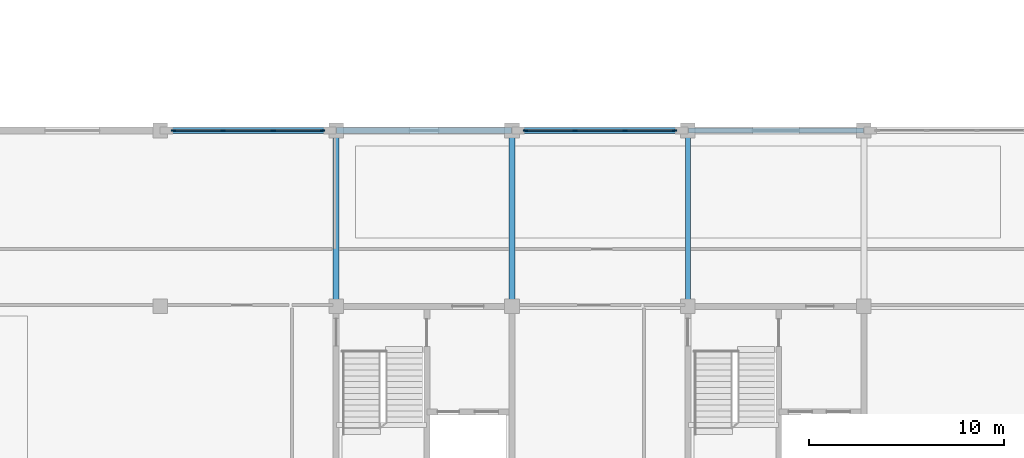
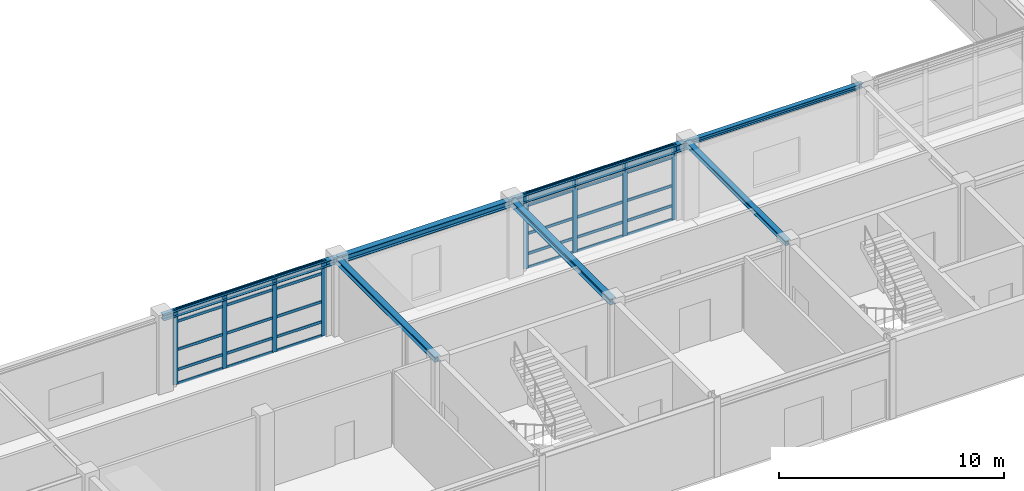
# One storey, part 21 of 72: 38 members, 7 beams, 2 elements without a shape of their own.
"""IFC4 building model written with IfcOpenShell, lengths in metres."""

from ifc_helpers import new_model, si_unit, direction, frame, origin, origin_2d, place, context, subcontext, project, spatial, rectangle, i_section, extrude, material, material_profile, profile_set, type_object, element, aggregate, save


model = new_model("IFC4")

# Units and contexts
model_context = context("Model", 3, precision=1e-05, world=origin(), true_north=direction((0.0, 1.0)))
body_context = subcontext(model_context, "Body", "Model", "MODEL_VIEW")
ifc_project = project(units=[si_unit("LENGTHUNIT", "METRE"), si_unit("AREAUNIT", "SQUARE_METRE"), si_unit("VOLUMEUNIT", "CUBIC_METRE"), si_unit("PLANEANGLEUNIT", "RADIAN"), si_unit("MASSUNIT", "GRAM", prefix="KILO")], contexts=[model_context])

# Site, building, storey
site_placement = place(None, origin())
site = spatial("IfcSite", under=ifc_project, at=site_placement, CompositionType="ELEMENT")
building_placement = place(site_placement, origin())
building = spatial("IfcBuilding", under=site, at=building_placement, Name="Palais des Congres Ocreval", CompositionType="ELEMENT")
storey_placement = place(building_placement, origin())
storey = spatial("IfcBuildingStorey", under=building, at=storey_placement, Name="L00", CompositionType="ELEMENT", Elevation=0.0)

# Curtain wall, members
ifc_material_1 = material(Name="Anodized bronze aluminium and low-E glass", Category="glass")
curtain_wall_type = type_object("IfcCurtainWallType", Name="Unitised Curtain Wall 7900x4060", PredefinedType="USERDEFINED", material=ifc_material_1)
curtain_wall_1_placement = place(storey_placement, origin())
curtain_wall_1 = element("IfcCurtainWall", 1, at=curtain_wall_1_placement, inside=storey, type_object=curtain_wall_type, Name="Unitised Curtain Wall CW01 L00", ObjectType="UNITISED CURTAIN WALL", PredefinedType="USERDEFINED")
ifc_material_2 = material(Name="Anodized bronze aluminium", Category="aluminium")
ifc_material_profile_1 = material_profile(ifc_material_2, rectangle(XDim=0.074951171875, YDim=0.239990234375, at=origin_2d()), Name="ALU 75x240")
ifc_profile_set_1 = profile_set([ifc_material_profile_1], Name="Anodized bronze aluminium")
member_type_1 = type_object("IfcMemberType", Name="Curtain Wall Mullion ALU 75x240", PredefinedType="MULLION", material=ifc_profile_set_1)
member_1_placement = place(storey_placement, frame((27.6875, 18.0, 0.0), z_axis=(0.0, 0.0, 1.0), x_axis=(0.0, 1.0, 0.0)))
member_1 = element("IfcMember", 2, at=member_1_placement, type_object=member_type_1, Name="Curtain Wall Mullion ML01", PredefinedType="MULLION", context=body_context, shape_type="SweptSolid", body=[
    extrude(rectangle(XDim=0.074951171875, YDim=0.239990234375, at=origin_2d()), origin(), (0.0, 0.0, 1.0), 4.054931640625),
])
member_2_placement = place(storey_placement, frame((30.216796875, 18.0, 0.0), z_axis=(0.0, 0.0, 1.0), x_axis=(0.0, 1.0, 0.0)))
member_2 = element("IfcMember", 3, at=member_2_placement, type_object=member_type_1, Name="Curtain Wall Mullion ML01", PredefinedType="MULLION", context=body_context, shape_type="SweptSolid", body=[
    extrude(rectangle(XDim=0.074951171875, YDim=0.239990234375, at=origin_2d()), origin(), (0.0, 0.0, 1.0), 4.054931640625),
])
member_3_placement = place(storey_placement, frame((32.783203125, 18.0, 0.0), z_axis=(0.0, 0.0, 1.0), x_axis=(0.0, 1.0, 0.0)))
member_3 = element("IfcMember", 4, at=member_3_placement, type_object=member_type_1, Name="Curtain Wall Mullion ML01", PredefinedType="MULLION", context=body_context, shape_type="SweptSolid", body=[
    extrude(rectangle(XDim=0.074951171875, YDim=0.239990234375, at=origin_2d()), origin(), (0.0, 0.0, 1.0), 4.054931640625),
])
member_4_placement = place(storey_placement, frame((35.3125, 18.0, 0.0), z_axis=(0.0, 0.0, 1.0), x_axis=(0.0, 1.0, 0.0)))
member_4 = element("IfcMember", 5, at=member_4_placement, type_object=member_type_1, Name="Curtain Wall Mullion ML01", PredefinedType="MULLION", context=body_context, shape_type="SweptSolid", body=[
    extrude(rectangle(XDim=0.074951171875, YDim=0.239990234375, at=origin_2d()), origin(), (0.0, 0.0, 1.0), 4.054931640625),
])

curtain_wall_2_placement = place(storey_placement, origin())
curtain_wall_2 = element("IfcCurtainWall", 6, at=curtain_wall_2_placement, inside=storey, type_object=curtain_wall_type, Name="Unitised Curtain Wall CW01 L00", ObjectType="UNITISED CURTAIN WALL", PredefinedType="USERDEFINED")
member_5_placement = place(storey_placement, frame((45.6875, 18.0, 0.0), z_axis=(0.0, 0.0, 1.0), x_axis=(0.0, 1.0, 0.0)))
member_5 = element("IfcMember", 7, at=member_5_placement, type_object=member_type_1, Name="Curtain Wall Mullion ML01", PredefinedType="MULLION", context=body_context, shape_type="SweptSolid", body=[
    extrude(rectangle(XDim=0.074951171875, YDim=0.239990234375, at=origin_2d()), origin(), (0.0, 0.0, 1.0), 4.054931640625),
])
member_6_placement = place(storey_placement, frame((48.216796875, 18.0, 0.0), z_axis=(0.0, 0.0, 1.0), x_axis=(0.0, 1.0, 0.0)))
member_6 = element("IfcMember", 8, at=member_6_placement, type_object=member_type_1, Name="Curtain Wall Mullion ML01", PredefinedType="MULLION", context=body_context, shape_type="SweptSolid", body=[
    extrude(rectangle(XDim=0.074951171875, YDim=0.239990234375, at=origin_2d()), origin(), (0.0, 0.0, 1.0), 4.054931640625),
])
member_7_placement = place(storey_placement, frame((50.783203125, 18.0, 0.0), z_axis=(0.0, 0.0, 1.0), x_axis=(0.0, 1.0, 0.0)))
member_7 = element("IfcMember", 9, at=member_7_placement, type_object=member_type_1, Name="Curtain Wall Mullion ML01", PredefinedType="MULLION", context=body_context, shape_type="SweptSolid", body=[
    extrude(rectangle(XDim=0.074951171875, YDim=0.239990234375, at=origin_2d()), origin(), (0.0, 0.0, 1.0), 4.054931640625),
])
member_8_placement = place(storey_placement, frame((53.3125, 18.0, 0.0), z_axis=(0.0, 0.0, 1.0), x_axis=(0.0, 1.0, 0.0)))
member_8 = element("IfcMember", 10, at=member_8_placement, type_object=member_type_1, Name="Curtain Wall Mullion ML01", PredefinedType="MULLION", context=body_context, shape_type="SweptSolid", body=[
    extrude(rectangle(XDim=0.074951171875, YDim=0.239990234375, at=origin_2d()), origin(), (0.0, 0.0, 1.0), 4.054931640625),
])

# Member
ifc_material_profile_2 = material_profile(ifc_material_2, rectangle(XDim=0.06005859375, YDim=0.14990234375, at=origin_2d()), Name="ALU 60x150")
ifc_profile_set_2 = profile_set([ifc_material_profile_2], Name="Anodized bronze aluminium")
member_type_2 = type_object("IfcMemberType", Name="Curtain Wall Transom ALU 60x150", PredefinedType="USERDEFINED", material=ifc_profile_set_2)
member_9_placement = place(storey_placement, frame((27.72509765625, 18.0, 0.030029296875), z_axis=(1.0, 0.0, 0.0), x_axis=(0.0, 1.0, 0.0)))
member_9 = element("IfcMember", 11, at=member_9_placement, type_object=member_type_2, Name="Curtain Wall Transom TR01", ObjectType="TRANSOM", PredefinedType="USERDEFINED", context=body_context, shape_type="SweptSolid", body=[
    extrude(rectangle(XDim=0.06005859375, YDim=0.14990234375, at=origin_2d()), origin(), (0.0, 0.0, 1.0), 2.4541015625),
])

member_10_placement = place(storey_placement, frame((27.72509765625, 18.0, 0.780029296875), z_axis=(1.0, 0.0, 0.0), x_axis=(0.0, 1.0, 0.0)))
member_10 = element("IfcMember", 12, at=member_10_placement, type_object=member_type_2, Name="Curtain Wall Transom TR01", ObjectType="TRANSOM", PredefinedType="USERDEFINED", context=body_context, shape_type="SweptSolid", body=[
    extrude(rectangle(XDim=0.06005859375, YDim=0.14990234375, at=origin_2d()), origin(), (0.0, 0.0, 1.0), 2.4541015625),
])

member_11_placement = place(storey_placement, frame((27.72509765625, 18.0, 1.872802734375), z_axis=(1.0, 0.0, 0.0), x_axis=(0.0, 1.0, 0.0)))
member_11 = element("IfcMember", 13, at=member_11_placement, type_object=member_type_2, Name="Curtain Wall Transom TR01", ObjectType="TRANSOM", PredefinedType="USERDEFINED", context=body_context, shape_type="SweptSolid", body=[
    extrude(rectangle(XDim=0.06005859375, YDim=0.14990234375, at=origin_2d()), origin(), (0.0, 0.0, 1.0), 2.4541015625),
])

member_12_placement = place(storey_placement, frame((27.72509765625, 18.0, 3.405029296875), z_axis=(1.0, 0.0, 0.0), x_axis=(0.0, 1.0, 0.0)))
member_12 = element("IfcMember", 14, at=member_12_placement, type_object=member_type_2, Name="Curtain Wall Transom TR01", ObjectType="TRANSOM", PredefinedType="USERDEFINED", context=body_context, shape_type="SweptSolid", body=[
    extrude(rectangle(XDim=0.06005859375, YDim=0.14990234375, at=origin_2d()), origin(), (0.0, 0.0, 1.0), 2.4541015625),
])

member_13_placement = place(storey_placement, frame((27.72509765625, 18.0, 4.02490234375), z_axis=(1.0, 0.0, 0.0), x_axis=(0.0, 1.0, 0.0)))
member_13 = element("IfcMember", 15, at=member_13_placement, type_object=member_type_2, Name="Curtain Wall Transom TR01", ObjectType="TRANSOM", PredefinedType="USERDEFINED", context=body_context, shape_type="SweptSolid", body=[
    extrude(rectangle(XDim=0.06005859375, YDim=0.14990234375, at=origin_2d()), origin(), (0.0, 0.0, 1.0), 2.4541015625),
])

member_14_placement = place(storey_placement, frame((30.254150390625, 18.0, 0.030029296875), z_axis=(1.0, 0.0, 0.0), x_axis=(0.0, 1.0, 0.0)))
member_14 = element("IfcMember", 16, at=member_14_placement, type_object=member_type_2, Name="Curtain Wall Transom TR01", ObjectType="TRANSOM", PredefinedType="USERDEFINED", context=body_context, shape_type="SweptSolid", body=[
    extrude(rectangle(XDim=0.06005859375, YDim=0.14990234375, at=origin_2d()), origin(), (0.0, 0.0, 1.0), 2.49169921875),
])

member_15_placement = place(storey_placement, frame((30.254150390625, 18.0, 0.780029296875), z_axis=(1.0, 0.0, 0.0), x_axis=(0.0, 1.0, 0.0)))
member_15 = element("IfcMember", 17, at=member_15_placement, type_object=member_type_2, Name="Curtain Wall Transom TR01", ObjectType="TRANSOM", PredefinedType="USERDEFINED", context=body_context, shape_type="SweptSolid", body=[
    extrude(rectangle(XDim=0.06005859375, YDim=0.14990234375, at=origin_2d()), origin(), (0.0, 0.0, 1.0), 2.49169921875),
])

member_16_placement = place(storey_placement, frame((30.254150390625, 18.0, 1.872802734375), z_axis=(1.0, 0.0, 0.0), x_axis=(0.0, 1.0, 0.0)))
member_16 = element("IfcMember", 18, at=member_16_placement, type_object=member_type_2, Name="Curtain Wall Transom TR01", ObjectType="TRANSOM", PredefinedType="USERDEFINED", context=body_context, shape_type="SweptSolid", body=[
    extrude(rectangle(XDim=0.06005859375, YDim=0.14990234375, at=origin_2d()), origin(), (0.0, 0.0, 1.0), 2.49169921875),
])

member_17_placement = place(storey_placement, frame((30.254150390625, 18.0, 3.405029296875), z_axis=(1.0, 0.0, 0.0), x_axis=(0.0, 1.0, 0.0)))
member_17 = element("IfcMember", 19, at=member_17_placement, type_object=member_type_2, Name="Curtain Wall Transom TR01", ObjectType="TRANSOM", PredefinedType="USERDEFINED", context=body_context, shape_type="SweptSolid", body=[
    extrude(rectangle(XDim=0.06005859375, YDim=0.14990234375, at=origin_2d()), origin(), (0.0, 0.0, 1.0), 2.49169921875),
])

member_18_placement = place(storey_placement, frame((30.254150390625, 18.0, 4.02490234375), z_axis=(1.0, 0.0, 0.0), x_axis=(0.0, 1.0, 0.0)))
member_18 = element("IfcMember", 20, at=member_18_placement, type_object=member_type_2, Name="Curtain Wall Transom TR01", ObjectType="TRANSOM", PredefinedType="USERDEFINED", context=body_context, shape_type="SweptSolid", body=[
    extrude(rectangle(XDim=0.06005859375, YDim=0.14990234375, at=origin_2d()), origin(), (0.0, 0.0, 1.0), 2.49169921875),
])

member_19_placement = place(storey_placement, frame((32.82080078125, 18.0, 0.030029296875), z_axis=(1.0, 0.0, 0.0), x_axis=(0.0, 1.0, 0.0)))
member_19 = element("IfcMember", 21, at=member_19_placement, type_object=member_type_2, Name="Curtain Wall Transom TR01", ObjectType="TRANSOM", PredefinedType="USERDEFINED", context=body_context, shape_type="SweptSolid", body=[
    extrude(rectangle(XDim=0.06005859375, YDim=0.14990234375, at=origin_2d()), origin(), (0.0, 0.0, 1.0), 2.4541015625),
])

member_20_placement = place(storey_placement, frame((32.82080078125, 18.0, 0.780029296875), z_axis=(1.0, 0.0, 0.0), x_axis=(0.0, 1.0, 0.0)))
member_20 = element("IfcMember", 22, at=member_20_placement, type_object=member_type_2, Name="Curtain Wall Transom TR01", ObjectType="TRANSOM", PredefinedType="USERDEFINED", context=body_context, shape_type="SweptSolid", body=[
    extrude(rectangle(XDim=0.06005859375, YDim=0.14990234375, at=origin_2d()), origin(), (0.0, 0.0, 1.0), 2.4541015625),
])

member_21_placement = place(storey_placement, frame((32.82080078125, 18.0, 1.872802734375), z_axis=(1.0, 0.0, 0.0), x_axis=(0.0, 1.0, 0.0)))
member_21 = element("IfcMember", 23, at=member_21_placement, type_object=member_type_2, Name="Curtain Wall Transom TR01", ObjectType="TRANSOM", PredefinedType="USERDEFINED", context=body_context, shape_type="SweptSolid", body=[
    extrude(rectangle(XDim=0.06005859375, YDim=0.14990234375, at=origin_2d()), origin(), (0.0, 0.0, 1.0), 2.4541015625),
])

member_22_placement = place(storey_placement, frame((32.82080078125, 18.0, 3.405029296875), z_axis=(1.0, 0.0, 0.0), x_axis=(0.0, 1.0, 0.0)))
member_22 = element("IfcMember", 24, at=member_22_placement, type_object=member_type_2, Name="Curtain Wall Transom TR01", ObjectType="TRANSOM", PredefinedType="USERDEFINED", context=body_context, shape_type="SweptSolid", body=[
    extrude(rectangle(XDim=0.06005859375, YDim=0.14990234375, at=origin_2d()), origin(), (0.0, 0.0, 1.0), 2.4541015625),
])

member_23_placement = place(storey_placement, frame((32.82080078125, 18.0, 4.02490234375), z_axis=(1.0, 0.0, 0.0), x_axis=(0.0, 1.0, 0.0)))
member_23 = element("IfcMember", 25, at=member_23_placement, type_object=member_type_2, Name="Curtain Wall Transom TR01", ObjectType="TRANSOM", PredefinedType="USERDEFINED", context=body_context, shape_type="SweptSolid", body=[
    extrude(rectangle(XDim=0.06005859375, YDim=0.14990234375, at=origin_2d()), origin(), (0.0, 0.0, 1.0), 2.4541015625),
])

aggregate(curtain_wall_1, [member_1, member_2, member_3, member_4, member_9, member_10, member_11, member_12, member_13, member_14, member_15, member_16, member_17, member_18, member_19, member_20, member_21, member_22, member_23])

member_24_placement = place(storey_placement, frame((45.72509765625, 18.0, 0.030029296875), z_axis=(1.0, 0.0, 0.0), x_axis=(0.0, 1.0, 0.0)))
member_24 = element("IfcMember", 26, at=member_24_placement, type_object=member_type_2, Name="Curtain Wall Transom TR01", ObjectType="TRANSOM", PredefinedType="USERDEFINED", context=body_context, shape_type="SweptSolid", body=[
    extrude(rectangle(XDim=0.06005859375, YDim=0.14990234375, at=origin_2d()), origin(), (0.0, 0.0, 1.0), 2.4541015625),
])

member_25_placement = place(storey_placement, frame((45.72509765625, 18.0, 0.780029296875), z_axis=(1.0, 0.0, 0.0), x_axis=(0.0, 1.0, 0.0)))
member_25 = element("IfcMember", 27, at=member_25_placement, type_object=member_type_2, Name="Curtain Wall Transom TR01", ObjectType="TRANSOM", PredefinedType="USERDEFINED", context=body_context, shape_type="SweptSolid", body=[
    extrude(rectangle(XDim=0.06005859375, YDim=0.14990234375, at=origin_2d()), origin(), (0.0, 0.0, 1.0), 2.4541015625),
])

member_26_placement = place(storey_placement, frame((45.72509765625, 18.0, 1.872802734375), z_axis=(1.0, 0.0, 0.0), x_axis=(0.0, 1.0, 0.0)))
member_26 = element("IfcMember", 28, at=member_26_placement, type_object=member_type_2, Name="Curtain Wall Transom TR01", ObjectType="TRANSOM", PredefinedType="USERDEFINED", context=body_context, shape_type="SweptSolid", body=[
    extrude(rectangle(XDim=0.06005859375, YDim=0.14990234375, at=origin_2d()), origin(), (0.0, 0.0, 1.0), 2.4541015625),
])

member_27_placement = place(storey_placement, frame((45.72509765625, 18.0, 3.405029296875), z_axis=(1.0, 0.0, 0.0), x_axis=(0.0, 1.0, 0.0)))
member_27 = element("IfcMember", 29, at=member_27_placement, type_object=member_type_2, Name="Curtain Wall Transom TR01", ObjectType="TRANSOM", PredefinedType="USERDEFINED", context=body_context, shape_type="SweptSolid", body=[
    extrude(rectangle(XDim=0.06005859375, YDim=0.14990234375, at=origin_2d()), origin(), (0.0, 0.0, 1.0), 2.4541015625),
])

member_28_placement = place(storey_placement, frame((45.72509765625, 18.0, 4.02490234375), z_axis=(1.0, 0.0, 0.0), x_axis=(0.0, 1.0, 0.0)))
member_28 = element("IfcMember", 30, at=member_28_placement, type_object=member_type_2, Name="Curtain Wall Transom TR01", ObjectType="TRANSOM", PredefinedType="USERDEFINED", context=body_context, shape_type="SweptSolid", body=[
    extrude(rectangle(XDim=0.06005859375, YDim=0.14990234375, at=origin_2d()), origin(), (0.0, 0.0, 1.0), 2.4541015625),
])

member_29_placement = place(storey_placement, frame((48.254150390625, 18.0, 0.030029296875), z_axis=(1.0, 0.0, 0.0), x_axis=(0.0, 1.0, 0.0)))
member_29 = element("IfcMember", 31, at=member_29_placement, type_object=member_type_2, Name="Curtain Wall Transom TR01", ObjectType="TRANSOM", PredefinedType="USERDEFINED", context=body_context, shape_type="SweptSolid", body=[
    extrude(rectangle(XDim=0.06005859375, YDim=0.14990234375, at=origin_2d()), origin(), (0.0, 0.0, 1.0), 2.49169921875),
])

member_30_placement = place(storey_placement, frame((48.254150390625, 18.0, 0.780029296875), z_axis=(1.0, 0.0, 0.0), x_axis=(0.0, 1.0, 0.0)))
member_30 = element("IfcMember", 32, at=member_30_placement, type_object=member_type_2, Name="Curtain Wall Transom TR01", ObjectType="TRANSOM", PredefinedType="USERDEFINED", context=body_context, shape_type="SweptSolid", body=[
    extrude(rectangle(XDim=0.06005859375, YDim=0.14990234375, at=origin_2d()), origin(), (0.0, 0.0, 1.0), 2.49169921875),
])

member_31_placement = place(storey_placement, frame((48.254150390625, 18.0, 1.872802734375), z_axis=(1.0, 0.0, 0.0), x_axis=(0.0, 1.0, 0.0)))
member_31 = element("IfcMember", 33, at=member_31_placement, type_object=member_type_2, Name="Curtain Wall Transom TR01", ObjectType="TRANSOM", PredefinedType="USERDEFINED", context=body_context, shape_type="SweptSolid", body=[
    extrude(rectangle(XDim=0.06005859375, YDim=0.14990234375, at=origin_2d()), origin(), (0.0, 0.0, 1.0), 2.49169921875),
])

member_32_placement = place(storey_placement, frame((48.254150390625, 18.0, 3.405029296875), z_axis=(1.0, 0.0, 0.0), x_axis=(0.0, 1.0, 0.0)))
member_32 = element("IfcMember", 34, at=member_32_placement, type_object=member_type_2, Name="Curtain Wall Transom TR01", ObjectType="TRANSOM", PredefinedType="USERDEFINED", context=body_context, shape_type="SweptSolid", body=[
    extrude(rectangle(XDim=0.06005859375, YDim=0.14990234375, at=origin_2d()), origin(), (0.0, 0.0, 1.0), 2.49169921875),
])

member_33_placement = place(storey_placement, frame((48.254150390625, 18.0, 4.02490234375), z_axis=(1.0, 0.0, 0.0), x_axis=(0.0, 1.0, 0.0)))
member_33 = element("IfcMember", 35, at=member_33_placement, type_object=member_type_2, Name="Curtain Wall Transom TR01", ObjectType="TRANSOM", PredefinedType="USERDEFINED", context=body_context, shape_type="SweptSolid", body=[
    extrude(rectangle(XDim=0.06005859375, YDim=0.14990234375, at=origin_2d()), origin(), (0.0, 0.0, 1.0), 2.49169921875),
])

member_34_placement = place(storey_placement, frame((50.82080078125, 18.0, 0.030029296875), z_axis=(1.0, 0.0, 0.0), x_axis=(0.0, 1.0, 0.0)))
member_34 = element("IfcMember", 36, at=member_34_placement, type_object=member_type_2, Name="Curtain Wall Transom TR01", ObjectType="TRANSOM", PredefinedType="USERDEFINED", context=body_context, shape_type="SweptSolid", body=[
    extrude(rectangle(XDim=0.06005859375, YDim=0.14990234375, at=origin_2d()), origin(), (0.0, 0.0, 1.0), 2.4541015625),
])

member_35_placement = place(storey_placement, frame((50.82080078125, 18.0, 0.780029296875), z_axis=(1.0, 0.0, 0.0), x_axis=(0.0, 1.0, 0.0)))
member_35 = element("IfcMember", 37, at=member_35_placement, type_object=member_type_2, Name="Curtain Wall Transom TR01", ObjectType="TRANSOM", PredefinedType="USERDEFINED", context=body_context, shape_type="SweptSolid", body=[
    extrude(rectangle(XDim=0.06005859375, YDim=0.14990234375, at=origin_2d()), origin(), (0.0, 0.0, 1.0), 2.4541015625),
])

member_36_placement = place(storey_placement, frame((50.82080078125, 18.0, 1.872802734375), z_axis=(1.0, 0.0, 0.0), x_axis=(0.0, 1.0, 0.0)))
member_36 = element("IfcMember", 38, at=member_36_placement, type_object=member_type_2, Name="Curtain Wall Transom TR01", ObjectType="TRANSOM", PredefinedType="USERDEFINED", context=body_context, shape_type="SweptSolid", body=[
    extrude(rectangle(XDim=0.06005859375, YDim=0.14990234375, at=origin_2d()), origin(), (0.0, 0.0, 1.0), 2.4541015625),
])

member_37_placement = place(storey_placement, frame((50.82080078125, 18.0, 3.405029296875), z_axis=(1.0, 0.0, 0.0), x_axis=(0.0, 1.0, 0.0)))
member_37 = element("IfcMember", 39, at=member_37_placement, type_object=member_type_2, Name="Curtain Wall Transom TR01", ObjectType="TRANSOM", PredefinedType="USERDEFINED", context=body_context, shape_type="SweptSolid", body=[
    extrude(rectangle(XDim=0.06005859375, YDim=0.14990234375, at=origin_2d()), origin(), (0.0, 0.0, 1.0), 2.4541015625),
])

member_38_placement = place(storey_placement, frame((50.82080078125, 18.0, 4.02490234375), z_axis=(1.0, 0.0, 0.0), x_axis=(0.0, 1.0, 0.0)))
member_38 = element("IfcMember", 40, at=member_38_placement, type_object=member_type_2, Name="Curtain Wall Transom TR01", ObjectType="TRANSOM", PredefinedType="USERDEFINED", context=body_context, shape_type="SweptSolid", body=[
    extrude(rectangle(XDim=0.06005859375, YDim=0.14990234375, at=origin_2d()), origin(), (0.0, 0.0, 1.0), 2.4541015625),
])

aggregate(curtain_wall_2, [member_5, member_6, member_7, member_8, member_24, member_25, member_26, member_27, member_28, member_29, member_30, member_31, member_32, member_33, member_34, member_35, member_36, member_37, member_38])

# Beams
ifc_material_3 = material(Name="Steel S355", Category="steel")
ifc_material_profile_3 = material_profile(ifc_material_3, i_section(OverallWidth=0.260009765625, OverallDepth=0.260009765625, WebThickness=0.010009765625, FlangeThickness=0.017578125, at=origin_2d()), Name="HEB 260")
ifc_profile_set_3 = profile_set([ifc_material_profile_3], Name="Steel S355")
beam_type_1 = type_object("IfcBeamType", Name="Opening Lintel HEB 260 Steel S355", PredefinedType="LINTEL", material=ifc_profile_set_3)
beam_1_placement = place(storey_placement, frame((54.0, 9.02001953125, 3.925048828125), z_axis=(0.0, 1.0, 0.0), x_axis=(-1.0, 0.0, 0.0)))
element("IfcBeam", 41, at=beam_1_placement, inside=storey, type_object=beam_type_1, Name="Girder LN01 L00", PredefinedType="LINTEL", context=body_context, shape_type="SweptSolid", body=[
    extrude(i_section(OverallWidth=0.260009765625, OverallDepth=0.260009765625, WebThickness=0.010009765625, FlangeThickness=0.017578125, at=origin_2d()), origin(), (0.0, 0.0, 1.0), 8.9599609375),
])
ifc_material_profile_4 = material_profile(ifc_material_3, i_section(OverallWidth=0.239990234375, OverallDepth=0.22998046875, WebThickness=0.007568359375, FlangeThickness=0.011962890625, at=origin_2d()), Name="HEA 240")
ifc_profile_set_4 = profile_set([ifc_material_profile_4], Name="Steel S355")
beam_type_2 = type_object("IfcBeamType", Name="Perimeter Spandrel HEA 240 Steel S355", PredefinedType="SPANDREL", material=ifc_profile_set_4)
beam_2_placement = place(storey_placement, frame((54.02001953125, 18.0, 3.93994140625), z_axis=(1.0, 0.0, 0.0), x_axis=(0.0, 1.0, 0.0)))
element("IfcBeam", 42, at=beam_2_placement, inside=storey, type_object=beam_type_2, Name="Beam SP01 L00", PredefinedType="SPANDREL", context=body_context, shape_type="SweptSolid", body=[
    extrude(i_section(OverallWidth=0.239990234375, OverallDepth=0.22998046875, WebThickness=0.007568359375, FlangeThickness=0.011962890625, at=origin_2d()), origin(), (0.0, 0.0, 1.0), 8.9599609375),
])
ifc_material_profile_5 = material_profile(ifc_material_3, i_section(OverallWidth=0.300048828125, OverallDepth=0.300048828125, WebThickness=0.010986328125, FlangeThickness=0.01904296875, at=origin_2d()), Name="HEB 300")
ifc_profile_set_5 = profile_set([ifc_material_profile_5], Name="Steel S355")
beam_type_3 = type_object("IfcBeamType", Name="Perimeter Spandrel HEB 300 Steel S355", PredefinedType="SPANDREL", material=ifc_profile_set_5)
beam_3_placement = place(storey_placement, frame((27.02001953125, 18.0, 3.905029296875), z_axis=(1.0, 0.0, 0.0), x_axis=(0.0, 1.0, 0.0)))
element("IfcBeam", 43, at=beam_3_placement, inside=storey, type_object=beam_type_3, Name="Beam SP02 L00", PredefinedType="SPANDREL", context=body_context, shape_type="SweptSolid", body=[
    extrude(i_section(OverallWidth=0.300048828125, OverallDepth=0.300048828125, WebThickness=0.010986328125, FlangeThickness=0.01904296875, at=origin_2d()), origin(), (0.0, 0.0, 1.0), 8.9599609375),
])
ifc_material_profile_6 = material_profile(ifc_material_3, i_section(OverallWidth=0.300048828125, OverallDepth=0.360107421875, WebThickness=0.012451171875, FlangeThickness=0.0224609375, at=origin_2d()), Name="HEB 360")
ifc_profile_set_6 = profile_set([ifc_material_profile_6], Name="Steel S355")
beam_type_4 = type_object("IfcBeamType", Name="Perimeter Spandrel HEB 360 Steel S355", PredefinedType="SPANDREL", material=ifc_profile_set_6)
beam_4_placement = place(storey_placement, frame((36.02001953125, 18.0, 3.875), z_axis=(1.0, 0.0, 0.0), x_axis=(0.0, 1.0, 0.0)))
element("IfcBeam", 44, at=beam_4_placement, inside=storey, type_object=beam_type_4, Name="Beam SP03 L00", PredefinedType="SPANDREL", context=body_context, shape_type="SweptSolid", body=[
    extrude(i_section(OverallWidth=0.300048828125, OverallDepth=0.360107421875, WebThickness=0.012451171875, FlangeThickness=0.0224609375, at=origin_2d()), origin(), (0.0, 0.0, 1.0), 8.9599609375),
])
ifc_material_profile_7 = material_profile(ifc_material_3, i_section(OverallWidth=0.300048828125, OverallDepth=0.39990234375, WebThickness=0.013427734375, FlangeThickness=0.02392578125, at=origin_2d()), Name="HEB 400")
ifc_profile_set_7 = profile_set([ifc_material_profile_7], Name="Steel S355")
beam_type_5 = type_object("IfcBeamType", Name="Perimeter Spandrel HEB 400 Steel S355", PredefinedType="SPANDREL", material=ifc_profile_set_7)
beam_5_placement = place(storey_placement, frame((45.02001953125, 18.0, 3.85498046875), z_axis=(1.0, 0.0, 0.0), x_axis=(0.0, 1.0, 0.0)))
element("IfcBeam", 45, at=beam_5_placement, inside=storey, type_object=beam_type_5, Name="Beam SP04 L00", PredefinedType="SPANDREL", context=body_context, shape_type="SweptSolid", body=[
    extrude(i_section(OverallWidth=0.300048828125, OverallDepth=0.39990234375, WebThickness=0.013427734375, FlangeThickness=0.02392578125, at=origin_2d()), origin(), (0.0, 0.0, 1.0), 8.9599609375),
])
ifc_material_profile_8 = material_profile(ifc_material_3, i_section(OverallWidth=0.300048828125, OverallDepth=0.2900390625, WebThickness=0.008544921875, FlangeThickness=0.013916015625, at=origin_2d()), Name="HEA 300")
ifc_profile_set_8 = profile_set([ifc_material_profile_8], Name="Steel S355")
beam_type_6 = type_object("IfcBeamType", Name="Primary Beam HEA 300 Steel S355", PredefinedType="BEAM", material=ifc_profile_set_8)
beam_6_placement = place(storey_placement, frame((36.0, 9.02001953125, 3.909912109375), z_axis=(0.0, 1.0, 0.0), x_axis=(-1.0, 0.0, 0.0)))
element("IfcBeam", 46, at=beam_6_placement, inside=storey, type_object=beam_type_6, Name="Girder B08 L00", PredefinedType="BEAM", context=body_context, shape_type="SweptSolid", body=[
    extrude(i_section(OverallWidth=0.300048828125, OverallDepth=0.2900390625, WebThickness=0.008544921875, FlangeThickness=0.013916015625, at=origin_2d()), origin(), (0.0, 0.0, 1.0), 8.9599609375),
])
ifc_material_profile_9 = material_profile(ifc_material_3, i_section(OverallWidth=0.300048828125, OverallDepth=0.330078125, WebThickness=0.009521484375, FlangeThickness=0.0166015625, at=origin_2d()), Name="HEA 340")
ifc_profile_set_9 = profile_set([ifc_material_profile_9], Name="Steel S355")
beam_type_7 = type_object("IfcBeamType", Name="Primary Beam HEA 340 Steel S355", PredefinedType="BEAM", material=ifc_profile_set_9)
beam_7_placement = place(storey_placement, frame((45.0, 9.02001953125, 3.889892578125), z_axis=(0.0, 1.0, 0.0), x_axis=(-1.0, 0.0, 0.0)))
element("IfcBeam", 47, at=beam_7_placement, inside=storey, type_object=beam_type_7, Name="Girder B09 L00", PredefinedType="BEAM", context=body_context, shape_type="SweptSolid", body=[
    extrude(i_section(OverallWidth=0.300048828125, OverallDepth=0.330078125, WebThickness=0.009521484375, FlangeThickness=0.0166015625, at=origin_2d()), origin(), (0.0, 0.0, 1.0), 8.9599609375),
])

save(model, "model.ifc")
